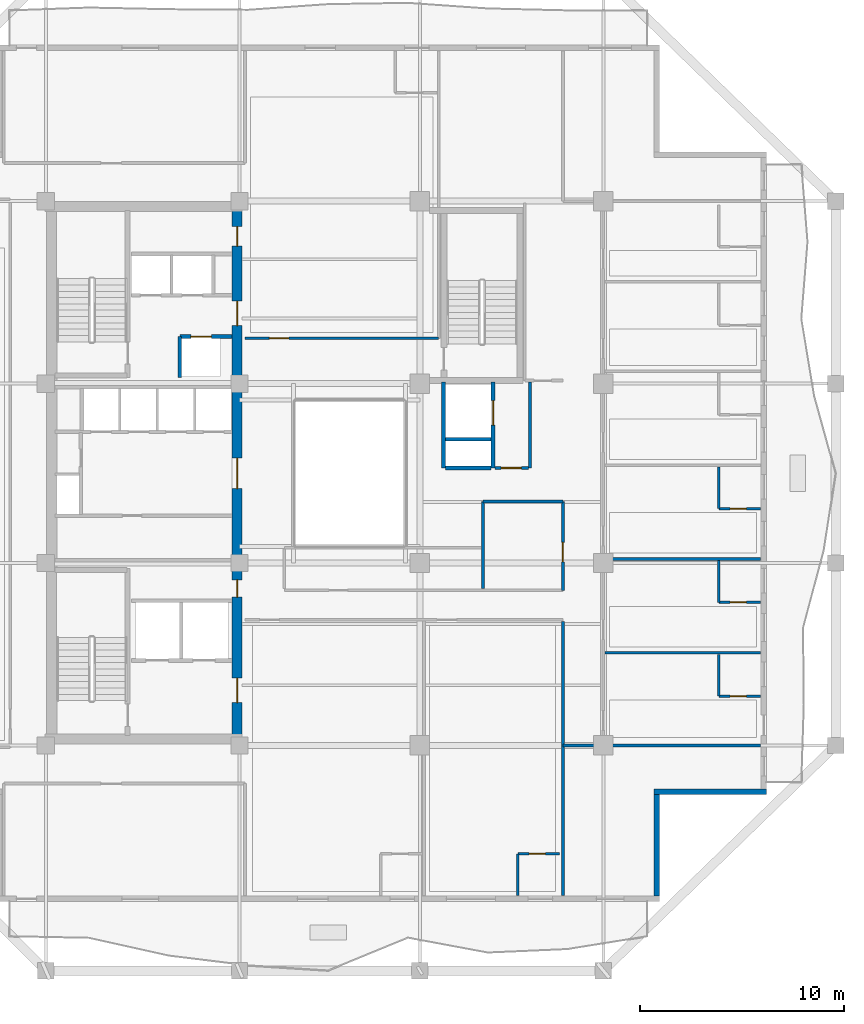
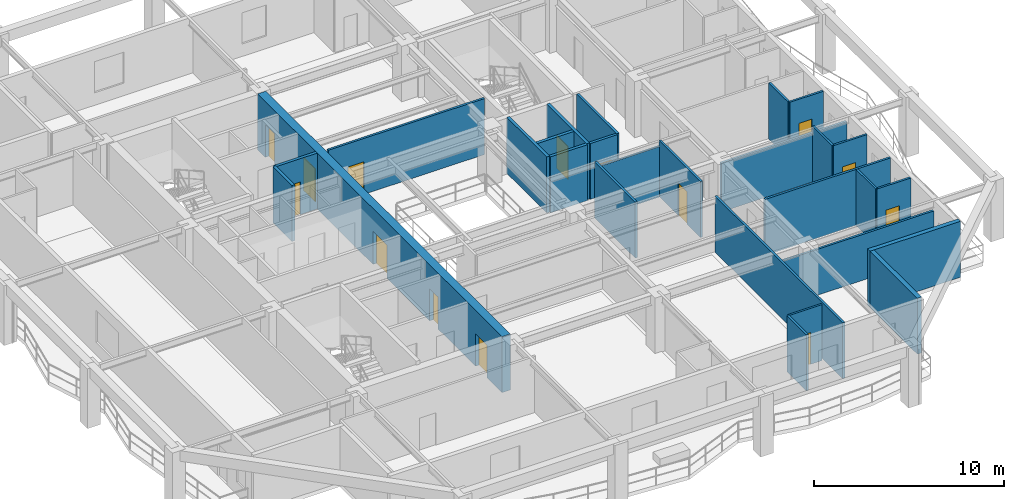
# One storey, part 4 of 13: 27 walls, 14 doors, 14 openings.
"""IFC4 building model written with IfcOpenShell, lengths in metres."""

import ifcopenshell
import ifcopenshell.guid

model = None  # the IFC model being written
_history = None  # IfcOwnerHistory: only IFC2X3 demands one
_inside = {}  # id of a spatial element -> (the spatial element, [elements in it])
_under = {}  # id of a project, library or spatial element -> (it, [spatial elements below it])
_declared = {}  # id of a project -> (the project, [libraries it declares])
_typed = {}  # id of a type object -> (the type object, [elements of that type])
_made_of = {}  # id of a material, layer set ... -> (it, [elements and type objects made of it])


def new_model(schema):
    """Start an empty IFC model of exactly this schema.

    Asked for "IFC4X3", IfcOpenShell would pick the latest addendum, in which some entities
    have other attributes; the version numbers below select the first issue.
    IFC2X3 requires an IfcOwnerHistory on every rooted entity: one is made here for all.
    """
    global model, _history
    if schema == "IFC4X3":
        model = ifcopenshell.file(schema_version=(4, 3, 0, 0))
    else:
        model = ifcopenshell.file(schema=schema)
    _inside.clear()
    _under.clear()
    _declared.clear()
    _typed.clear()
    _made_of.clear()
    _history = None
    if model.schema == "IFC2X3":
        org = make("IfcOrganization", Name="unknown")
        user = make(
            "IfcPersonAndOrganization",
            ThePerson=make("IfcPerson", FamilyName="unknown"),
            TheOrganization=org,
        )
        app = make(
            "IfcApplication",
            ApplicationDeveloper=org,
            Version="unknown",
            ApplicationFullName="unknown",
            ApplicationIdentifier="unknown",
        )
        _history = make(
            "IfcOwnerHistory",
            OwningUser=user,
            OwningApplication=app,
            ChangeAction="ADDED",
            CreationDate=0,
        )
    return model


def make(cls, **values):
    """One entity of the class cls with the attributes given. An attribute that is None is left unset."""
    return model.create_entity(
        cls, **{name: value for name, value in values.items() if value is not None}
    )


def rooted(cls, **values):
    """An entity with a GlobalId (a new one), such as an element, a storey or a relation."""
    return make(cls, GlobalId=ifcopenshell.guid.new(), OwnerHistory=_history, **values)


def si_unit(unit_type, name, prefix=None):
    """IfcSIUnit, for example si_unit("LENGTHUNIT", "METRE", prefix="MILLI")."""
    return make("IfcSIUnit", UnitType=unit_type, Prefix=prefix, Name=name)


def assignment(units):
    """IfcUnitAssignment: the units of a project."""
    return None if units is None else make("IfcUnitAssignment", Units=units)


def point(xyz):
    """IfcCartesianPoint."""
    return None if xyz is None else make("IfcCartesianPoint", Coordinates=xyz)


def direction(xyz):
    """IfcDirection."""
    return None if xyz is None else make("IfcDirection", DirectionRatios=xyz)


def frame(location, z_axis=None, x_axis=None):
    """IfcAxis2Placement3D, a coordinate frame: its origin and axes. An axis left out is left unset."""
    return make(
        "IfcAxis2Placement3D",
        Location=point(location),
        Axis=direction(z_axis),
        RefDirection=direction(x_axis),
    )


def frame_2d(location, x_axis=None):
    """IfcAxis2Placement2D, a coordinate frame in the plane: its origin and x axis."""
    return make(
        "IfcAxis2Placement2D", Location=point(location), RefDirection=direction(x_axis)
    )


def origin():
    """The frame at (0, 0, 0) with its axes left unset."""
    return frame((0.0, 0.0, 0.0))


def place(relative_to, where):
    """IfcLocalPlacement: puts the frame where relative to a parent placement (None: the world)."""
    return make(
        "IfcLocalPlacement", PlacementRelTo=relative_to, RelativePlacement=where
    )


def context(
    kind, dimensions, precision=None, world=None, true_north=None, identifier=None
):
    """IfcGeometricRepresentationContext, for example the 3D "Model" context."""
    return make(
        "IfcGeometricRepresentationContext",
        ContextIdentifier=identifier,
        ContextType=kind,
        CoordinateSpaceDimension=dimensions,
        Precision=precision,
        WorldCoordinateSystem=world,
        TrueNorth=true_north,
    )


def subcontext(parent, identifier, kind, view, scale=None):
    """IfcGeometricRepresentationSubContext, for example "Body" below "Model"."""
    return make(
        "IfcGeometricRepresentationSubContext",
        ContextIdentifier=identifier,
        ContextType=kind,
        ParentContext=parent,
        TargetScale=scale,
        TargetView=view,
    )


def project(units=None, contexts=None):
    """IfcProject with its units and contexts."""
    return rooted(
        "IfcProject",
        Name="project",
        RepresentationContexts=contexts,
        UnitsInContext=assignment(units),
    )


def spatial(cls, under=None, at=None, **own):
    """A site, building, storey or space (cls), placed at a placement, below another one or the project."""
    s = rooted(cls, ObjectPlacement=at, **own)
    if under is not None:
        _under.setdefault(under.id(), (under, []))[1].append(s)
    return s


def profile(cls, at=None, kind="AREA", **sizes):
    """A parametric profile (cls). Its sizes go by their IFC names, for example OverallWidth=200.0."""
    return make(cls, ProfileType=kind, Position=at, **sizes)


def rectangle(**sizes):
    """IfcRectangleProfileDef."""
    return profile("IfcRectangleProfileDef", **sizes)


def extrude(swept, where, along, depth):
    """IfcExtrudedAreaSolid: the profile swept, set in the frame where, extruded along a direction by depth."""
    return make(
        "IfcExtrudedAreaSolid",
        SweptArea=swept,
        Position=where,
        ExtrudedDirection=direction(along),
        Depth=depth,
    )


def shape(context_of_items, identifier, shape_type, items):
    """IfcShapeRepresentation: the items that make up one representation, for example the "Body"."""
    return make(
        "IfcShapeRepresentation",
        ContextOfItems=context_of_items,
        RepresentationIdentifier=identifier,
        RepresentationType=shape_type,
        Items=items,
    )


def material(Name=None, Category=None):
    """IfcMaterial."""
    return make("IfcMaterial", Name=Name, Category=Category)


def layer(
    of_material, thickness, ventilated=None, Name=None, Category=None, Priority=None
):
    """IfcMaterialLayer: one layer of a wall or slab, of a material (None: an air gap)."""
    return make(
        "IfcMaterialLayer",
        Material=of_material,
        LayerThickness=thickness,
        IsVentilated=ventilated,
        Name=Name,
        Category=Category,
        Priority=Priority,
    )


def layer_set(layers, Name=None):
    """IfcMaterialLayerSet."""
    return make("IfcMaterialLayerSet", MaterialLayers=layers, LayerSetName=Name)


def made_of(thing, what):
    """Note that an element or type object is made of a material, layer set ...; save() writes the relation."""
    if what is not None:
        _made_of.setdefault(what.id(), (what, []))[1].append(thing)
    return thing


def type_object(cls, material=None, **own):
    """A type object (cls), such as IfcWallType, which elements share."""
    return made_of(rooted(cls, **own), material)


def element(
    cls,
    number,
    at=None,
    inside=None,
    cuts=None,
    type_object=None,
    material=None,
    context=None,
    identifier="Body",
    shape_type=None,
    held_by="IfcProductDefinitionShape",
    body=None,
    shapes=None,
    **own,
):
    """One element of the class cls, such as IfcWall. Its Tag is "e" and its number.

    at: its placement. inside: the storey or other place that contains it. cuts: it is an
    opening in that element (IfcRelVoidsElement). A single representation is given by context,
    identifier, shape_type and body (its items); several are given by shapes. held_by: the class
    of the entity that holds the representations. save() writes the other relations.
    """
    e = rooted(cls, Tag="e%d" % number, ObjectPlacement=at, **own)
    if body is not None:
        shapes = [shape(context, identifier, shape_type, body)]
    if shapes is not None:
        e.Representation = make(held_by, Representations=shapes)
    if inside is not None:
        _inside.setdefault(inside.id(), (inside, []))[1].append(e)
    if cuts is not None:
        rooted(
            "IfcRelVoidsElement", RelatingBuildingElement=cuts, RelatedOpeningElement=e
        )
    if type_object is not None:
        _typed.setdefault(type_object.id(), (type_object, []))[1].append(e)
    return made_of(e, material)


def fill(opening, filler):
    """IfcRelFillsElement: the door or window that sits in an opening."""
    return rooted(
        "IfcRelFillsElement",
        RelatingOpeningElement=opening,
        RelatedBuildingElement=filler,
    )


def aggregate(whole, parts):
    """IfcRelAggregates: a whole, such as a stair, and the parts it consists of."""
    return rooted("IfcRelAggregates", RelatingObject=whole, RelatedObjects=parts)


def save(model, path):
    """Write the relations noted so far, then the file.

    IfcRelAggregates (storeys below a building ...), IfcRelContainedInSpatialStructure (elements
    in a storey), IfcRelDefinesByType, IfcRelAssociatesMaterial and IfcRelDeclares: one each for
    every whole, place, type object, material and project.
    """
    for whole, parts in _under.values():
        aggregate(whole, parts)
    for where, things in _inside.values():
        rooted(
            "IfcRelContainedInSpatialStructure",
            RelatedElements=things,
            RelatingStructure=where,
        )
    for kind, things in _typed.values():
        rooted("IfcRelDefinesByType", RelatedObjects=things, RelatingType=kind)
    for what, things in _made_of.values():
        rooted("IfcRelAssociatesMaterial", RelatedObjects=things, RelatingMaterial=what)
    for by, libraries in _declared.values():
        rooted("IfcRelDeclares", RelatingContext=by, RelatedDefinitions=libraries)
    model.write(path)


model = new_model("IFC4")

# Units and contexts
model_context = context("Model", 3, precision=1e-05, world=origin(), true_north=direction((0.0, 1.0)))
body_context = subcontext(model_context, "Body", "Model", "MODEL_VIEW")
ifc_project = project(units=[si_unit("LENGTHUNIT", "METRE"), si_unit("AREAUNIT", "SQUARE_METRE"), si_unit("VOLUMEUNIT", "CUBIC_METRE"), si_unit("PLANEANGLEUNIT", "RADIAN"), si_unit("MASSUNIT", "GRAM", prefix="KILO")], contexts=[model_context])

# Site, building, storey
site_placement = place(None, origin())
site = spatial("IfcSite", under=ifc_project, at=site_placement, CompositionType="ELEMENT")
building_placement = place(site_placement, origin())
building = spatial("IfcBuilding", under=site, at=building_placement, Name="Kundavana Baori Tower", CompositionType="ELEMENT")
storey_placement = place(building_placement, frame((0.0, 0.0, 184.85009765625)))
storey = spatial("IfcBuildingStorey", under=building, at=storey_placement, Name="L45", CompositionType="ELEMENT", Elevation=184.85009765625)

# Wall, openings, doors
ifc_material_1 = material(Name="Concrete C50/60", Category="concrete")
ifc_layer_1 = layer(ifc_material_1, 0.5, Name="WL-CORE-500")
ifc_layer_set_1 = layer_set([ifc_layer_1], Name="Concrete C50/60")
wall_type_1 = type_object("IfcWallType", Name="WL-CORE-500", PredefinedType="SHEAR", material=ifc_layer_set_1)
wall_1_placement = place(storey_placement, frame((24.830078125, 15.739990234375, 0.0), z_axis=(0.0, 0.0, 1.0), x_axis=(0.0, 1.0, 0.0)))
wall_1 = element("IfcWall", 1, at=wall_1_placement, inside=storey, type_object=wall_type_1, Name="L45 Offset Core East Shear Wall", PredefinedType="SHEAR", context=body_context, shape_type="SweptSolid", body=[
    extrude(rectangle(XDim=25.760009765625, YDim=0.5, at=frame_2d((12.8798828125, 0.0))), origin(), (0.0, 0.0, 1.0), 3.599853515625),
])
opening_1_placement = place(wall_1_placement, frame((1.610107421875, 0.0, 0.0)))
opening_1 = element("IfcOpeningElement", 2, at=opening_1_placement, cuts=wall_1, Name="Opening FD-120", PredefinedType="OPENING", context=body_context, shape_type="SweptSolid", body=[
    extrude(rectangle(XDim=1.199951171875, YDim=2.10009765625, at=frame_2d((0.60009765625, 1.050048828125))), frame((0.0, 0.260009765625, 0.0), z_axis=(0.0, -1.0, 0.0), x_axis=(1.0, 0.0, 0.0)), (0.0, 0.0, 1.0), 0.52001953125),
])
opening_2_placement = place(wall_1_placement, frame((6.780029296875, 0.0, 0.0)))
opening_2 = element("IfcOpeningElement", 3, at=opening_2_placement, cuts=wall_1, Name="Opening FD-085", PredefinedType="OPENING", context=body_context, shape_type="SweptSolid", body=[
    extrude(rectangle(XDim=0.85009765625, YDim=2.06005859375, at=frame_2d((0.425048828125, 1.030029296875))), frame((0.0, 0.260009765625, 0.0), z_axis=(0.0, -1.0, 0.0), x_axis=(1.0, 0.0, 0.0)), (0.0, 0.0, 1.0), 0.52001953125),
])
opening_3_placement = place(wall_1_placement, frame((12.110107421875, 0.0, 0.0)))
opening_3 = element("IfcOpeningElement", 4, at=opening_3_placement, cuts=wall_1, Name="Opening FD-150", PredefinedType="OPENING", context=body_context, shape_type="SweptSolid", body=[
    extrude(rectangle(XDim=1.5, YDim=2.1201171875, at=frame_2d((0.75, 1.06005859375))), frame((0.0, 0.260009765625, 0.0), z_axis=(0.0, -1.0, 0.0), x_axis=(1.0, 0.0, 0.0)), (0.0, 0.0, 1.0), 0.52001953125),
])
opening_4_placement = place(wall_1_placement, frame((20.110107421875, 0.0, 0.0)))
opening_4 = element("IfcOpeningElement", 5, at=opening_4_placement, cuts=wall_1, Name="Opening FD-122", PredefinedType="OPENING", context=body_context, shape_type="SweptSolid", body=[
    extrude(rectangle(XDim=1.199951171875, YDim=2.1201171875, at=frame_2d((0.60009765625, 1.06005859375))), frame((0.0, 0.260009765625, 0.0), z_axis=(0.0, -1.0, 0.0), x_axis=(1.0, 0.0, 0.0)), (0.0, 0.0, 1.0), 0.52001953125),
])
opening_5_placement = place(wall_1_placement, frame((24.010009765625, 0.0, 0.0)))
opening_5 = element("IfcOpeningElement", 6, at=opening_5_placement, cuts=wall_1, Name="Opening FD-095", PredefinedType="OPENING", context=body_context, shape_type="SweptSolid", body=[
    extrude(rectangle(XDim=0.949951171875, YDim=2.10009765625, at=frame_2d((0.47509765625, 1.050048828125))), frame((0.0, 0.260009765625, 0.0), z_axis=(0.0, -1.0, 0.0), x_axis=(1.0, 0.0, 0.0)), (0.0, 0.0, 1.0), 0.52001953125),
])
ifc_material_2 = material(Name="Galvanised Steel Fire-Rated Door Leaf", Category="steel")
door_type_1 = type_object("IfcDoorType", Name="DR-FD120-1200", OperationType="NOTDEFINED", PredefinedType="DOOR", material=ifc_material_2)
door_1_placement = place(opening_1_placement, frame((1.199951171875, 0.0, 0.0), z_axis=(0.0, 0.0, 1.0), x_axis=(-1.0, 0.0, 0.0)))
door_1 = element("IfcDoor", 7, at=door_1_placement, inside=storey, type_object=door_type_1, Name="DR-L45-FFLOB-E", OperationType="SINGLE_SWING_RIGHT", OverallHeight=2.10009765625, OverallWidth=1.199951171875, PredefinedType="DOOR", context=body_context, shape_type="SweptSolid", body=[
    extrude(rectangle(XDim=1.199951171875, YDim=2.10009765625, at=frame_2d((0.60009765625, 1.050048828125))), frame((0.0, 0.02490234375, 0.0), z_axis=(0.0, -1.0, 0.0), x_axis=(1.0, 0.0, 0.0)), (0.0, 0.0, 1.0), 0.050048828125),
])
fill(opening_1, door_1)
ifc_material_3 = material(Name="Galvanised Steel Fire-Rated Door Leaf", Category="steel")
door_type_2 = type_object("IfcDoorType", Name="DR-FD60-1200", OperationType="NOTDEFINED", PredefinedType="DOOR", material=ifc_material_3)
door_2_placement = place(opening_4_placement, frame((1.199951171875, 0.0, 0.0), z_axis=(0.0, 0.0, 1.0), x_axis=(-1.0, 0.0, 0.0)))
door_2 = element("IfcDoor", 8, at=door_2_placement, inside=storey, type_object=door_type_2, Name="DR-L45-HRLOB-E", OperationType="SINGLE_SWING_RIGHT", OverallHeight=2.1201171875, OverallWidth=1.199951171875, PredefinedType="DOOR", context=body_context, shape_type="SweptSolid", body=[
    extrude(rectangle(XDim=1.199951171875, YDim=2.1201171875, at=frame_2d((0.60009765625, 1.06005859375))), frame((0.0, 0.02490234375, 0.0), z_axis=(0.0, -1.0, 0.0), x_axis=(1.0, 0.0, 0.0)), (0.0, 0.0, 1.0), 0.050048828125),
])
fill(opening_4, door_2)
ifc_material_4 = material(Name="Galvanised Steel Fire-Rated Door Leaf", Category="steel")
door_type_3 = type_object("IfcDoorType", Name="DR-FD60-1500", OperationType="NOTDEFINED", PredefinedType="DOOR", material=ifc_material_4)
door_3_placement = place(opening_3_placement, frame((1.5, 0.0, 0.0), z_axis=(0.0, 0.0, 1.0), x_axis=(-1.0, 0.0, 0.0)))
door_3 = element("IfcDoor", 9, at=door_3_placement, inside=storey, type_object=door_type_3, Name="DR-L45-LIFTHALL-E", OperationType="SINGLE_SWING_LEFT", OverallHeight=2.1201171875, OverallWidth=1.5, PredefinedType="DOOR", context=body_context, shape_type="SweptSolid", body=[
    extrude(rectangle(XDim=1.5, YDim=2.1201171875, at=frame_2d((0.75, 1.06005859375))), frame((0.0, 0.02490234375, 0.0), z_axis=(0.0, -1.0, 0.0), x_axis=(1.0, 0.0, 0.0)), (0.0, 0.0, 1.0), 0.050048828125),
])
fill(opening_3, door_3)
ifc_material_5 = material(Name="Galvanised Steel Fire-Rated Door Leaf", Category="steel")
door_type_4 = type_object("IfcDoorType", Name="DR-FD60-850", OperationType="NOTDEFINED", PredefinedType="DOOR", material=ifc_material_5)
door_4_placement = place(opening_2_placement, frame((0.85009765625, 0.0, 0.0), z_axis=(0.0, 0.0, 1.0), x_axis=(-1.0, 0.0, 0.0)))
door_4 = element("IfcDoor", 10, at=door_4_placement, inside=storey, type_object=door_type_4, Name="DR-L45-CSMK1", OperationType="SINGLE_SWING_LEFT", OverallHeight=2.06005859375, OverallWidth=0.85009765625, PredefinedType="DOOR", context=body_context, shape_type="SweptSolid", body=[
    extrude(rectangle(XDim=0.85009765625, YDim=2.06005859375, at=frame_2d((0.425048828125, 1.030029296875))), frame((0.0, 0.02490234375, 0.0), z_axis=(0.0, -1.0, 0.0), x_axis=(1.0, 0.0, 0.0)), (0.0, 0.0, 1.0), 0.050048828125),
])
fill(opening_2, door_4)
ifc_material_6 = material(Name="Engineered Teak Fire-Rated Timber Door Leaf", Category="wood")
door_type_5 = type_object("IfcDoorType", Name="DR-FD60-950", OperationType="NOTDEFINED", PredefinedType="DOOR", material=ifc_material_6)
door_5_placement = place(opening_5_placement, frame((0.949951171875, 0.0, 0.0), z_axis=(0.0, 0.0, 1.0), x_axis=(-1.0, 0.0, 0.0)))
door_5 = element("IfcDoor", 11, at=door_5_placement, inside=storey, type_object=door_type_5, Name="DR-L45-CSRV1", OperationType="SINGLE_SWING_LEFT", OverallHeight=2.10009765625, OverallWidth=0.949951171875, PredefinedType="DOOR", context=body_context, shape_type="SweptSolid", body=[
    extrude(rectangle(XDim=0.949951171875, YDim=2.10009765625, at=frame_2d((0.47509765625, 1.050048828125))), frame((0.0, 0.02490234375, 0.0), z_axis=(0.0, -1.0, 0.0), x_axis=(1.0, 0.0, 0.0)), (0.0, 0.0, 1.0), 0.050048828125),
])
fill(opening_5, door_5)

# Walls
ifc_material_7 = material(Name="Kiln-Fired Terracotta Brick-Slip Masonry on Concrete C40/50", Category="masonry")
ifc_layer_2 = layer(ifc_material_7, 0.260009765625, Name="WL-EXT-BRK-260")
ifc_layer_set_2 = layer_set([ifc_layer_2], Name="Kiln-Fired Terracotta Brick-Slip Masonry on Concrete C40/50")
wall_type_2 = type_object("IfcWallType", Name="WL-EXT-BRK-260", PredefinedType="SOLIDWALL", material=ifc_layer_set_2)
wall_2_placement = place(storey_placement, frame((45.419921875, 7.860107421875, 0.0), z_axis=(0.0, 0.0, 1.0), x_axis=(0.0, 1.0, 0.0)))
element("IfcWall", 12, at=wall_2_placement, inside=storey, type_object=wall_type_2, Name="L45 Exterior Insulated Facade Wall 02", PredefinedType="SOLIDWALL", context=body_context, shape_type="SweptSolid", body=[
    extrude(rectangle(XDim=4.989990234375, YDim=0.260009765625, at=frame_2d((2.4951171875, 0.0))), origin(), (0.0, 0.0, 1.0), 3.599853515625),
])
wall_3_placement = place(storey_placement, frame((45.2900390625, 12.97998046875, 0.0), z_axis=(0.0, 0.0, 1.0), x_axis=(1.0, 0.0, 0.0)))
element("IfcWall", 13, at=wall_3_placement, inside=storey, type_object=wall_type_2, Name="L45 Exterior Insulated Facade Wall 03", PredefinedType="SOLIDWALL", context=body_context, shape_type="SweptSolid", body=[
    extrude(rectangle(XDim=5.510009765625, YDim=0.260009765625, at=frame_2d((2.7548828125, 0.0))), origin(), (0.0, 0.0, 1.0), 3.599853515625),
])

# Wall, opening, door
ifc_material_8 = material(Name="Acoustic Gypsum Plasterboard on Galvanised Steel Studs", Category="steel")
ifc_layer_3 = layer(ifc_material_8, 0.135009765625, Name="WL-PART-135")
ifc_layer_set_3 = layer_set([ifc_layer_3], Name="Acoustic Gypsum Plasterboard on Galvanised Steel Studs")
wall_type_3 = type_object("IfcWallType", Name="WL-PART-135", PredefinedType="PARTITIONING", material=ifc_layer_set_3)
wall_4_placement = place(storey_placement, frame((25.219970703125, 35.219970703125, 0.0), z_axis=(0.0, 0.0, 1.0), x_axis=(1.0, 0.0, 0.0)))
wall_4 = element("IfcWall", 14, at=wall_4_placement, inside=storey, type_object=wall_type_3, Name="WL-L45-HN", PredefinedType="PARTITIONING", context=body_context, shape_type="SweptSolid", body=[
    extrude(rectangle(XDim=9.5, YDim=0.135009765625, at=frame_2d((4.75, 0.0))), origin(), (0.0, 0.0, 1.0), 3.599853515625),
])
opening_6_placement = place(wall_4_placement, frame((1.199951171875, 0.0, 0.0)))
opening_6 = element("IfcOpeningElement", 15, at=opening_6_placement, cuts=wall_4, Name="Opening FD-095", PredefinedType="OPENING", context=body_context, shape_type="SweptSolid", body=[
    extrude(rectangle(XDim=0.949951171875, YDim=2.10009765625, at=frame_2d((0.47509765625, 1.050048828125))), frame((0.0, 0.07763671875, 0.0), z_axis=(0.0, -1.0, 0.0), x_axis=(1.0, 0.0, 0.0)), (0.0, 0.0, 1.0), 0.155029296875),
])
door_6_placement = place(opening_6_placement, origin())
door_6 = element("IfcDoor", 16, at=door_6_placement, inside=storey, type_object=door_type_5, Name="DR-L45-HK-N1-ENT", OperationType="SINGLE_SWING_RIGHT", OverallHeight=2.10009765625, OverallWidth=0.949951171875, PredefinedType="DOOR", context=body_context, shape_type="SweptSolid", body=[
    extrude(rectangle(XDim=0.949951171875, YDim=2.10009765625, at=frame_2d((0.47509765625, 1.050048828125))), frame((0.0, 0.02490234375, 0.0), z_axis=(0.0, -1.0, 0.0), x_axis=(1.0, 0.0, 0.0)), (0.0, 0.0, 1.0), 0.050048828125),
])
fill(opening_6, door_6)

# Wall
wall_5_placement = place(storey_placement, frame((40.820068359375, 15.25, 0.0), z_axis=(0.0, 0.0, 1.0), x_axis=(1.0, 0.0, 0.0)))
element("IfcWall", 17, at=wall_5_placement, inside=storey, type_object=wall_type_3, Name="WL-L45-HES", PredefinedType="PARTITIONING", context=body_context, shape_type="SweptSolid", body=[
    extrude(rectangle(XDim=9.699951171875, YDim=0.135009765625, at=frame_2d((4.85009765625, 0.0))), origin(), (0.0, 0.0, 1.0), 2.949951171875),
])

# Wall, opening, door
wall_6_placement = place(storey_placement, frame((40.820068359375, 22.860107421875, 0.0), z_axis=(0.0, 0.0, 1.0), x_axis=(0.0, 1.0, 0.0)))
wall_6 = element("IfcWall", 18, at=wall_6_placement, inside=storey, type_object=wall_type_3, Name="WL-L45-HEW", PredefinedType="PARTITIONING", context=body_context, shape_type="SweptSolid", body=[
    extrude(rectangle(XDim=4.35986328125, YDim=0.135009765625, at=frame_2d((2.179931640625, 0.0))), origin(), (0.0, 0.0, 1.0), 3.599853515625),
])
opening_7_placement = place(wall_6_placement, frame((1.39990234375, 0.0, 0.0)))
opening_7 = element("IfcOpeningElement", 19, at=opening_7_placement, cuts=wall_6, Name="Opening FD-095", PredefinedType="OPENING", context=body_context, shape_type="SweptSolid", body=[
    extrude(rectangle(XDim=0.949951171875, YDim=2.10009765625, at=frame_2d((0.47509765625, 1.050048828125))), frame((0.0, 0.07763671875, 0.0), z_axis=(0.0, -1.0, 0.0), x_axis=(1.0, 0.0, 0.0)), (0.0, 0.0, 1.0), 0.155029296875),
])
door_7_placement = place(opening_7_placement, frame((0.949951171875, 0.0, 0.0), z_axis=(0.0, 0.0, 1.0), x_axis=(-1.0, 0.0, 0.0)))
door_7 = element("IfcDoor", 20, at=door_7_placement, inside=storey, type_object=door_type_5, Name="DR-L45-HSK", OperationType="SINGLE_SWING_RIGHT", OverallHeight=2.10009765625, OverallWidth=0.949951171875, PredefinedType="DOOR", context=body_context, shape_type="SweptSolid", body=[
    extrude(rectangle(XDim=0.949951171875, YDim=2.10009765625, at=frame_2d((0.47509765625, 1.050048828125))), frame((0.0, 0.02490234375, 0.0), z_axis=(0.0, -1.0, 0.0), x_axis=(1.0, 0.0, 0.0)), (0.0, 0.0, 1.0), 0.050048828125),
])
fill(opening_7, door_7)

# Walls
wall_7_placement = place(storey_placement, frame((36.89990234375, 27.219970703125, 0.0), z_axis=(0.0, 0.0, 1.0), x_axis=(1.0, 0.0, 0.0)))
element("IfcWall", 21, at=wall_7_placement, inside=storey, type_object=wall_type_3, Name="WL-L45-HKN", PredefinedType="PARTITIONING", context=body_context, shape_type="SweptSolid", body=[
    extrude(rectangle(XDim=3.920166015625, YDim=0.135009765625, at=frame_2d((1.9599609375, 0.0))), origin(), (0.0, 0.0, 1.0), 3.25),
])
wall_8_placement = place(storey_placement, frame((36.89990234375, 22.93994140625, 0.0), z_axis=(0.0, 0.0, 1.0), x_axis=(0.0, 1.0, 0.0)))
element("IfcWall", 22, at=wall_8_placement, inside=storey, type_object=wall_type_3, Name="WL-L45-HKD", PredefinedType="PARTITIONING", context=body_context, shape_type="SweptSolid", body=[
    extrude(rectangle(XDim=4.280029296875, YDim=0.135009765625, at=frame_2d((2.14013671875, 0.0))), origin(), (0.0, 0.0, 1.0), 3.599853515625),
])
wall_9_placement = place(storey_placement, frame((40.820068359375, 7.8798828125, 0.0), z_axis=(0.0, 0.0, 1.0), x_axis=(0.0, 1.0, 0.0)))
element("IfcWall", 23, at=wall_9_placement, inside=storey, type_object=wall_type_3, Name="WL-L45-HSEND", PredefinedType="PARTITIONING", context=body_context, shape_type="SweptSolid", body=[
    extrude(rectangle(XDim=13.460205078125, YDim=0.135009765625, at=frame_2d((6.72998046875, 0.0))), origin(), (0.0, 0.0, 1.0), 3.599853515625),
])
wall_10_placement = place(storey_placement, frame((42.8798828125, 19.800048828125, 0.0), z_axis=(0.0, 0.0, 1.0), x_axis=(1.0, 0.0, 0.0)))
element("IfcWall", 24, at=wall_10_placement, inside=storey, type_object=wall_type_3, Name="WL-L45-HED1", PredefinedType="PARTITIONING", context=body_context, shape_type="SweptSolid", body=[
    extrude(rectangle(XDim=7.64013671875, YDim=0.135009765625, at=frame_2d((3.820068359375, 0.0))), origin(), (0.0, 0.0, 1.0), 3.599853515625),
])
wall_11_placement = place(storey_placement, frame((42.8798828125, 24.39990234375, 0.0), z_axis=(0.0, 0.0, 1.0), x_axis=(1.0, 0.0, 0.0)))
element("IfcWall", 25, at=wall_11_placement, inside=storey, type_object=wall_type_3, Name="WL-L45-HED2", PredefinedType="PARTITIONING", context=body_context, shape_type="SweptSolid", body=[
    extrude(rectangle(XDim=7.64013671875, YDim=0.135009765625, at=frame_2d((3.820068359375, 0.0))), origin(), (0.0, 0.0, 1.0), 3.14990234375),
])
ifc_material_9 = material(Name="Fire-Rated Gypsum Drywall on Galvanised Steel Studs", Category="steel")
ifc_layer_4 = layer(ifc_material_9, 0.14990234375, Name="WL-PART-150")
ifc_layer_set_4 = layer_set([ifc_layer_4], Name="Fire-Rated Gypsum Drywall on Galvanised Steel Studs")
wall_type_4 = type_object("IfcWallType", Name="WL-PART-150", PredefinedType="PARTITIONING", material=ifc_layer_set_4)
wall_12_placement = place(storey_placement, frame((39.199951171875, 28.860107421875, 0.0), z_axis=(0.0, 0.0, 1.0), x_axis=(0.0, 1.0, 0.0)))
element("IfcWall", 26, at=wall_12_placement, inside=storey, type_object=wall_type_4, Name="WL-L45-SVLOB-E", PredefinedType="PARTITIONING", context=body_context, shape_type="SweptSolid", body=[
    extrude(rectangle(XDim=4.219970703125, YDim=0.14990234375, at=frame_2d((2.10986328125, 0.0))), origin(), (0.0, 0.0, 1.0), 3.599853515625),
])

# Wall, opening, door
wall_13_placement = place(storey_placement, frame((37.47998046875, 28.860107421875, 0.0), z_axis=(0.0, 0.0, 1.0), x_axis=(1.0, 0.0, 0.0)))
wall_13 = element("IfcWall", 27, at=wall_13_placement, inside=storey, type_object=wall_type_4, Name="WL-L45-SVLOB-S", PredefinedType="PARTITIONING", context=body_context, shape_type="SweptSolid", body=[
    extrude(rectangle(XDim=1.64013671875, YDim=0.14990234375, at=frame_2d((0.820068359375, 0.0))), origin(), (0.0, 0.0, 1.0), 3.599853515625),
])
opening_8_placement = place(wall_13_placement, frame((0.300048828125, 0.0, 0.0)))
opening_8 = element("IfcOpeningElement", 28, at=opening_8_placement, cuts=wall_13, Name="Opening FD-100", PredefinedType="OPENING", context=body_context, shape_type="SweptSolid", body=[
    extrude(rectangle(XDim=1.0, YDim=2.10009765625, at=frame_2d((0.5, 1.050048828125))), frame((0.0, 0.0849609375, 0.0), z_axis=(0.0, -1.0, 0.0), x_axis=(1.0, 0.0, 0.0)), (0.0, 0.0, 1.0), 0.169921875),
])
ifc_material_10 = material(Name="Engineered Teak Fire-Rated Timber Door Leaf", Category="wood")
door_type_6 = type_object("IfcDoorType", Name="DR-FD60-1000", OperationType="NOTDEFINED", PredefinedType="DOOR", material=ifc_material_10)
door_8_placement = place(opening_8_placement, origin())
door_8 = element("IfcDoor", 29, at=door_8_placement, inside=storey, type_object=door_type_6, Name="DR-L45-SVLOB-OUT", OperationType="SINGLE_SWING_LEFT", OverallHeight=2.10009765625, OverallWidth=1.0, PredefinedType="DOOR", context=body_context, shape_type="SweptSolid", body=[
    extrude(rectangle(XDim=1.0, YDim=2.10009765625, at=frame_2d((0.5, 1.050048828125))), frame((0.0, 0.02490234375, 0.0), z_axis=(0.0, -1.0, 0.0), x_axis=(1.0, 0.0, 0.0)), (0.0, 0.0, 1.0), 0.050048828125),
])
fill(opening_8, door_8)

ifc_material_11 = material(Name="Autoclaved Aerated Concrete Blockwork Masonry", Category="masonry")
ifc_layer_5 = layer(ifc_material_11, 0.179931640625, Name="WL-SHAFT-180")
ifc_layer_set_5 = layer_set([ifc_layer_5], Name="Autoclaved Aerated Concrete Blockwork Masonry")
wall_type_5 = type_object("IfcWallType", Name="WL-SHAFT-180", PredefinedType="SOLIDWALL", material=ifc_layer_set_5)
wall_14_placement = place(storey_placement, frame((22.02001953125, 35.31005859375, 0.0), z_axis=(0.0, 0.0, 1.0), x_axis=(1.0, 0.0, 0.0)))
wall_14 = element("IfcWall", 30, at=wall_14_placement, inside=storey, type_object=wall_type_5, Name="WL-L45-LP11-N", PredefinedType="SOLIDWALL", context=body_context, shape_type="SweptSolid", body=[
    extrude(rectangle(XDim=2.56005859375, YDim=0.179931640625, at=frame_2d((1.280029296875, 0.0))), origin(), (0.0, 0.0, 1.0), 3.599853515625),
])
opening_9_placement = place(wall_14_placement, frame((0.550048828125, 0.0, 0.0)))
opening_9 = element("IfcOpeningElement", 31, at=opening_9_placement, cuts=wall_14, Name="Opening LD-100", PredefinedType="OPENING", context=body_context, shape_type="SweptSolid", body=[
    extrude(rectangle(XDim=1.0, YDim=2.10009765625, at=frame_2d((0.5, 1.050048828125))), frame((0.0, 0.10009765625, 0.0), z_axis=(0.0, -1.0, 0.0), x_axis=(1.0, 0.0, 0.0)), (0.0, 0.0, 1.0), 0.199951171875),
])
ifc_material_12 = material(Name="Galvanised Steel Fire-Rated Door Leaf", Category="steel")
door_type_7 = type_object("IfcDoorType", Name="DR-SLIDE-LD1000", OperationType="NOTDEFINED", PredefinedType="DOOR", material=ifc_material_12)
door_9_placement = place(opening_9_placement, origin())
door_9 = element("IfcDoor", 32, at=door_9_placement, inside=storey, type_object=door_type_7, Name="DR-L45-LD-LP11", OperationType="DOUBLE_DOOR_SLIDING", OverallHeight=2.10009765625, OverallWidth=1.0, PredefinedType="DOOR", context=body_context, shape_type="SweptSolid", body=[
    extrude(rectangle(XDim=1.0, YDim=2.10009765625, at=frame_2d((0.5, 1.050048828125))), frame((0.0, 0.02490234375, 0.0), z_axis=(0.0, -1.0, 0.0), x_axis=(1.0, 0.0, 0.0)), (0.0, 0.0, 1.0), 0.050048828125),
])
fill(opening_9, door_9)

# Walls
wall_15_placement = place(storey_placement, frame((22.02001953125, 33.300048828125, 0.0), z_axis=(0.0, 0.0, 1.0), x_axis=(0.0, 1.0, 0.0)))
element("IfcWall", 33, at=wall_15_placement, inside=storey, type_object=wall_type_5, Name="WL-L45-LP11-W", PredefinedType="SOLIDWALL", context=body_context, shape_type="SweptSolid", body=[
    extrude(rectangle(XDim=2.010009765625, YDim=0.179931640625, at=frame_2d((1.0048828125, 0.0))), origin(), (0.0, 0.0, 1.0), 3.599853515625),
])
wall_16_placement = place(storey_placement, frame((34.9599609375, 28.860107421875, 0.0), z_axis=(0.0, 0.0, 1.0), x_axis=(0.0, 1.0, 0.0)))
element("IfcWall", 34, at=wall_16_placement, inside=storey, type_object=wall_type_5, Name="WL-L45-SVL-W", PredefinedType="SOLIDWALL", context=body_context, shape_type="SweptSolid", body=[
    extrude(rectangle(XDim=4.219970703125, YDim=0.179931640625, at=frame_2d((2.10986328125, 0.0))), origin(), (0.0, 0.0, 1.0), 3.599853515625),
])

# Wall, opening, door
wall_17_placement = place(storey_placement, frame((37.389892578125, 28.860107421875, 0.0), z_axis=(0.0, 0.0, 1.0), x_axis=(0.0, 1.0, 0.0)))
wall_17 = element("IfcWall", 35, at=wall_17_placement, inside=storey, type_object=wall_type_5, Name="WL-L45-SVL-E", PredefinedType="SOLIDWALL", context=body_context, shape_type="SweptSolid", body=[
    extrude(rectangle(XDim=4.219970703125, YDim=0.179931640625, at=frame_2d((2.10986328125, 0.0))), origin(), (0.0, 0.0, 1.0), 3.599853515625),
])
opening_10_placement = place(wall_17_placement, frame((2.10009765625, 0.0, 0.0)))
opening_10 = element("IfcOpeningElement", 36, at=opening_10_placement, cuts=wall_17, Name="Opening LD-120", PredefinedType="OPENING", context=body_context, shape_type="SweptSolid", body=[
    extrude(rectangle(XDim=1.199951171875, YDim=2.1201171875, at=frame_2d((0.60009765625, 1.06005859375))), frame((0.0, 0.10009765625, 0.0), z_axis=(0.0, -1.0, 0.0), x_axis=(1.0, 0.0, 0.0)), (0.0, 0.0, 1.0), 0.199951171875),
])
ifc_material_13 = material(Name="Galvanised Steel Fire-Rated Door Leaf", Category="steel")
door_type_8 = type_object("IfcDoorType", Name="DR-SLIDE-LD1200", OperationType="NOTDEFINED", PredefinedType="DOOR", material=ifc_material_13)
door_10_placement = place(opening_10_placement, frame((1.199951171875, 0.0, 0.0), z_axis=(0.0, 0.0, 1.0), x_axis=(-1.0, 0.0, 0.0)))
door_10 = element("IfcDoor", 37, at=door_10_placement, inside=storey, type_object=door_type_8, Name="DR-L45-LD-SVL1", OperationType="DOUBLE_DOOR_SLIDING", OverallHeight=2.1201171875, OverallWidth=1.199951171875, PredefinedType="DOOR", context=body_context, shape_type="SweptSolid", body=[
    extrude(rectangle(XDim=1.199951171875, YDim=2.1201171875, at=frame_2d((0.60009765625, 1.06005859375))), frame((0.0, 0.02490234375, 0.0), z_axis=(0.0, -1.0, 0.0), x_axis=(1.0, 0.0, 0.0)), (0.0, 0.0, 1.0), 0.050048828125),
])
fill(opening_10, door_10)

# Walls
for number, where, z_axis, x_axis, name in (
    (38, (35.050048828125, 28.860107421875, 0.0), (0.0, 0.0, 1.0), (1.0, 0.0, 0.0), "WL-L45-SVL-S"),
    (39, (35.050048828125, 30.27001953125, 0.0), (0.0, 0.0, 1.0), (1.0, 0.0, 0.0), "WL-L45-SVL-M"),
):
    element("IfcWall", number, at=place(storey_placement, frame(where, z_axis=z_axis, x_axis=x_axis)), inside=storey, type_object=wall_type_5, Name=name, PredefinedType="SOLIDWALL", context=body_context, shape_type="SweptSolid", body=[
        extrude(rectangle(XDim=2.25, YDim=0.179931640625, at=frame_2d((1.125, 0.0))), origin(), (0.0, 0.0, 1.0), 3.599853515625),
    ])
ifc_material_14 = material(Name="Autoclaved Aerated Concrete Blockwork Masonry", Category="masonry")
ifc_layer_6 = layer(ifc_material_14, 0.125, Name="WL-WET-120")
ifc_layer_set_6 = layer_set([ifc_layer_6], Name="Autoclaved Aerated Concrete Blockwork Masonry")
wall_type_6 = type_object("IfcWallType", Name="WL-WET-120", PredefinedType="PLUMBINGWALL", material=ifc_layer_set_6)
wall_18_placement = place(storey_placement, frame((38.610107421875, 7.8798828125, 0.0), z_axis=(0.0, 0.0, 1.0), x_axis=(0.0, 1.0, 0.0)))
element("IfcWall", 40, at=wall_18_placement, inside=storey, type_object=wall_type_6, Name="WL-L45-HK-S2-BW", PredefinedType="PLUMBINGWALL", context=body_context, shape_type="SweptSolid", body=[
    extrude(rectangle(XDim=2.050048828125, YDim=0.125, at=frame_2d((1.02490234375, 0.0))), origin(), (0.0, 0.0, 1.0), 3.599853515625),
])

# Wall, opening, door
wall_19_placement = place(storey_placement, frame((38.610107421875, 9.929931640625, 0.0), z_axis=(0.0, 0.0, 1.0), x_axis=(1.0, 0.0, 0.0)))
wall_19 = element("IfcWall", 41, at=wall_19_placement, inside=storey, type_object=wall_type_6, Name="WL-L45-HK-S2-BN", PredefinedType="PLUMBINGWALL", context=body_context, shape_type="SweptSolid", body=[
    extrude(rectangle(XDim=2.0498046875, YDim=0.125, at=frame_2d((1.02490234375, 0.0))), origin(), (0.0, 0.0, 1.0), 3.599853515625),
])
opening_11_placement = place(wall_19_placement, frame((0.550048828125, 0.0, 0.0)))
opening_11 = element("IfcOpeningElement", 42, at=opening_11_placement, cuts=wall_19, Name="Opening WD-080", PredefinedType="OPENING", context=body_context, shape_type="SweptSolid", body=[
    extrude(rectangle(XDim=0.800048828125, YDim=2.050048828125, at=frame_2d((0.39990234375, 1.02490234375))), frame((0.0, 0.072509765625, 0.0), z_axis=(0.0, -1.0, 0.0), x_axis=(1.0, 0.0, 0.0)), (0.0, 0.0, 1.0), 0.14501953125),
])
ifc_material_15 = material(Name="Engineered Teak Solid-Core Timber Veneer", Category="wood")
door_type_9 = type_object("IfcDoorType", Name="DR-WET-800", OperationType="NOTDEFINED", PredefinedType="DOOR", material=ifc_material_15)
door_11_placement = place(opening_11_placement, origin())
door_11 = element("IfcDoor", 43, at=door_11_placement, inside=storey, type_object=door_type_9, Name="DR-L45-HK-S2-ENS", OperationType="SINGLE_SWING_LEFT", OverallHeight=2.050048828125, OverallWidth=0.800048828125, PredefinedType="DOOR", context=body_context, shape_type="SweptSolid", body=[
    extrude(rectangle(XDim=0.800048828125, YDim=2.050048828125, at=frame_2d((0.39990234375, 1.02490234375))), frame((0.0, 0.02490234375, 0.0), z_axis=(0.0, -1.0, 0.0), x_axis=(1.0, 0.0, 0.0)), (0.0, 0.0, 1.0), 0.050048828125),
])
fill(opening_11, door_11)

# Wall
wall_20_placement = place(storey_placement, frame((48.469970703125, 17.669921875, 0.0), z_axis=(0.0, 0.0, 1.0), x_axis=(0.0, 1.0, 0.0)))
element("IfcWall", 44, at=wall_20_placement, inside=storey, type_object=wall_type_6, Name="WL-L45-HK-E1-BW", PredefinedType="PLUMBINGWALL", context=body_context, shape_type="SweptSolid", body=[
    extrude(rectangle(XDim=2.050048828125, YDim=0.125, at=frame_2d((1.02490234375, 0.0))), origin(), (0.0, 0.0, 1.0), 3.599853515625),
])

# Wall, opening, door
wall_21_placement = place(storey_placement, frame((48.469970703125, 17.669921875, 0.0), z_axis=(0.0, 0.0, 1.0), x_axis=(1.0, 0.0, 0.0)))
wall_21 = element("IfcWall", 45, at=wall_21_placement, inside=storey, type_object=wall_type_6, Name="WL-L45-HK-E1-BS", PredefinedType="PLUMBINGWALL", context=body_context, shape_type="SweptSolid", body=[
    extrude(rectangle(XDim=2.050048828125, YDim=0.125, at=frame_2d((1.02490234375, 0.0))), origin(), (0.0, 0.0, 1.0), 3.599853515625),
])
opening_12_placement = place(wall_21_placement, frame((0.550048828125, 0.0, 0.0)))
opening_12 = element("IfcOpeningElement", 46, at=opening_12_placement, cuts=wall_21, Name="Opening WD-080", PredefinedType="OPENING", context=body_context, shape_type="SweptSolid", body=[
    extrude(rectangle(XDim=0.800048828125, YDim=2.050048828125, at=frame_2d((0.39990234375, 1.02490234375))), frame((0.0, 0.072509765625, 0.0), z_axis=(0.0, -1.0, 0.0), x_axis=(1.0, 0.0, 0.0)), (0.0, 0.0, 1.0), 0.14501953125),
])
door_12_placement = place(opening_12_placement, frame((0.800048828125, 0.0, 0.0), z_axis=(0.0, 0.0, 1.0), x_axis=(-1.0, 0.0, 0.0)))
door_12 = element("IfcDoor", 47, at=door_12_placement, inside=storey, type_object=door_type_9, Name="DR-L45-HK-E1-ENS", OperationType="SINGLE_SWING_LEFT", OverallHeight=2.050048828125, OverallWidth=0.800048828125, PredefinedType="DOOR", context=body_context, shape_type="SweptSolid", body=[
    extrude(rectangle(XDim=0.800048828125, YDim=2.050048828125, at=frame_2d((0.39990234375, 1.02490234375))), frame((0.0, 0.02490234375, 0.0), z_axis=(0.0, -1.0, 0.0), x_axis=(1.0, 0.0, 0.0)), (0.0, 0.0, 1.0), 0.050048828125),
])
fill(opening_12, door_12)

# Wall
wall_22_placement = place(storey_placement, frame((48.469970703125, 22.27001953125, 0.0), z_axis=(0.0, 0.0, 1.0), x_axis=(0.0, 1.0, 0.0)))
element("IfcWall", 48, at=wall_22_placement, inside=storey, type_object=wall_type_6, Name="WL-L45-HK-E2-BW", PredefinedType="PLUMBINGWALL", context=body_context, shape_type="SweptSolid", body=[
    extrude(rectangle(XDim=2.050048828125, YDim=0.125, at=frame_2d((1.02490234375, 0.0))), origin(), (0.0, 0.0, 1.0), 3.599853515625),
])

# Wall, opening, door
wall_23_placement = place(storey_placement, frame((48.469970703125, 22.27001953125, 0.0), z_axis=(0.0, 0.0, 1.0), x_axis=(1.0, 0.0, 0.0)))
wall_23 = element("IfcWall", 49, at=wall_23_placement, inside=storey, type_object=wall_type_6, Name="WL-L45-HK-E2-BS", PredefinedType="PLUMBINGWALL", context=body_context, shape_type="SweptSolid", body=[
    extrude(rectangle(XDim=2.050048828125, YDim=0.125, at=frame_2d((1.02490234375, 0.0))), origin(), (0.0, 0.0, 1.0), 3.599853515625),
])
opening_13_placement = place(wall_23_placement, frame((0.550048828125, 0.0, 0.0)))
opening_13 = element("IfcOpeningElement", 50, at=opening_13_placement, cuts=wall_23, Name="Opening WD-080", PredefinedType="OPENING", context=body_context, shape_type="SweptSolid", body=[
    extrude(rectangle(XDim=0.800048828125, YDim=2.050048828125, at=frame_2d((0.39990234375, 1.02490234375))), frame((0.0, 0.072509765625, 0.0), z_axis=(0.0, -1.0, 0.0), x_axis=(1.0, 0.0, 0.0)), (0.0, 0.0, 1.0), 0.14501953125),
])
door_13_placement = place(opening_13_placement, frame((0.800048828125, 0.0, 0.0), z_axis=(0.0, 0.0, 1.0), x_axis=(-1.0, 0.0, 0.0)))
door_13 = element("IfcDoor", 51, at=door_13_placement, inside=storey, type_object=door_type_9, Name="DR-L45-HK-E2-ENS", OperationType="SINGLE_SWING_LEFT", OverallHeight=2.050048828125, OverallWidth=0.800048828125, PredefinedType="DOOR", context=body_context, shape_type="SweptSolid", body=[
    extrude(rectangle(XDim=0.800048828125, YDim=2.050048828125, at=frame_2d((0.39990234375, 1.02490234375))), frame((0.0, 0.02490234375, 0.0), z_axis=(0.0, -1.0, 0.0), x_axis=(1.0, 0.0, 0.0)), (0.0, 0.0, 1.0), 0.050048828125),
])
fill(opening_13, door_13)

# Wall
wall_24_placement = place(storey_placement, frame((48.469970703125, 26.8701171875, 0.0), z_axis=(0.0, 0.0, 1.0), x_axis=(0.0, 1.0, 0.0)))
element("IfcWall", 52, at=wall_24_placement, inside=storey, type_object=wall_type_6, Name="WL-L45-HK-E3-BW", PredefinedType="PLUMBINGWALL", context=body_context, shape_type="SweptSolid", body=[
    extrude(rectangle(XDim=2.0498046875, YDim=0.125, at=frame_2d((1.02490234375, 0.0))), origin(), (0.0, 0.0, 1.0), 3.599853515625),
])

# Wall, opening, door
wall_25_placement = place(storey_placement, frame((48.469970703125, 26.8701171875, 0.0), z_axis=(0.0, 0.0, 1.0), x_axis=(1.0, 0.0, 0.0)))
wall_25 = element("IfcWall", 53, at=wall_25_placement, inside=storey, type_object=wall_type_6, Name="WL-L45-HK-E3-BS", PredefinedType="PLUMBINGWALL", context=body_context, shape_type="SweptSolid", body=[
    extrude(rectangle(XDim=2.050048828125, YDim=0.125, at=frame_2d((1.02490234375, 0.0))), origin(), (0.0, 0.0, 1.0), 3.599853515625),
])
opening_14_placement = place(wall_25_placement, frame((0.550048828125, 0.0, 0.0)))
opening_14 = element("IfcOpeningElement", 54, at=opening_14_placement, cuts=wall_25, Name="Opening WD-080", PredefinedType="OPENING", context=body_context, shape_type="SweptSolid", body=[
    extrude(rectangle(XDim=0.800048828125, YDim=2.050048828125, at=frame_2d((0.39990234375, 1.02490234375))), frame((0.0, 0.072509765625, 0.0), z_axis=(0.0, -1.0, 0.0), x_axis=(1.0, 0.0, 0.0)), (0.0, 0.0, 1.0), 0.14501953125),
])
door_14_placement = place(opening_14_placement, frame((0.800048828125, 0.0, 0.0), z_axis=(0.0, 0.0, 1.0), x_axis=(-1.0, 0.0, 0.0)))
door_14 = element("IfcDoor", 55, at=door_14_placement, inside=storey, type_object=door_type_9, Name="DR-L45-HK-E3-ENS", OperationType="SINGLE_SWING_LEFT", OverallHeight=2.050048828125, OverallWidth=0.800048828125, PredefinedType="DOOR", context=body_context, shape_type="SweptSolid", body=[
    extrude(rectangle(XDim=0.800048828125, YDim=2.050048828125, at=frame_2d((0.39990234375, 1.02490234375))), frame((0.0, 0.02490234375, 0.0), z_axis=(0.0, -1.0, 0.0), x_axis=(1.0, 0.0, 0.0)), (0.0, 0.0, 1.0), 0.050048828125),
])
fill(opening_14, door_14)

save(model, "model.ifc")
